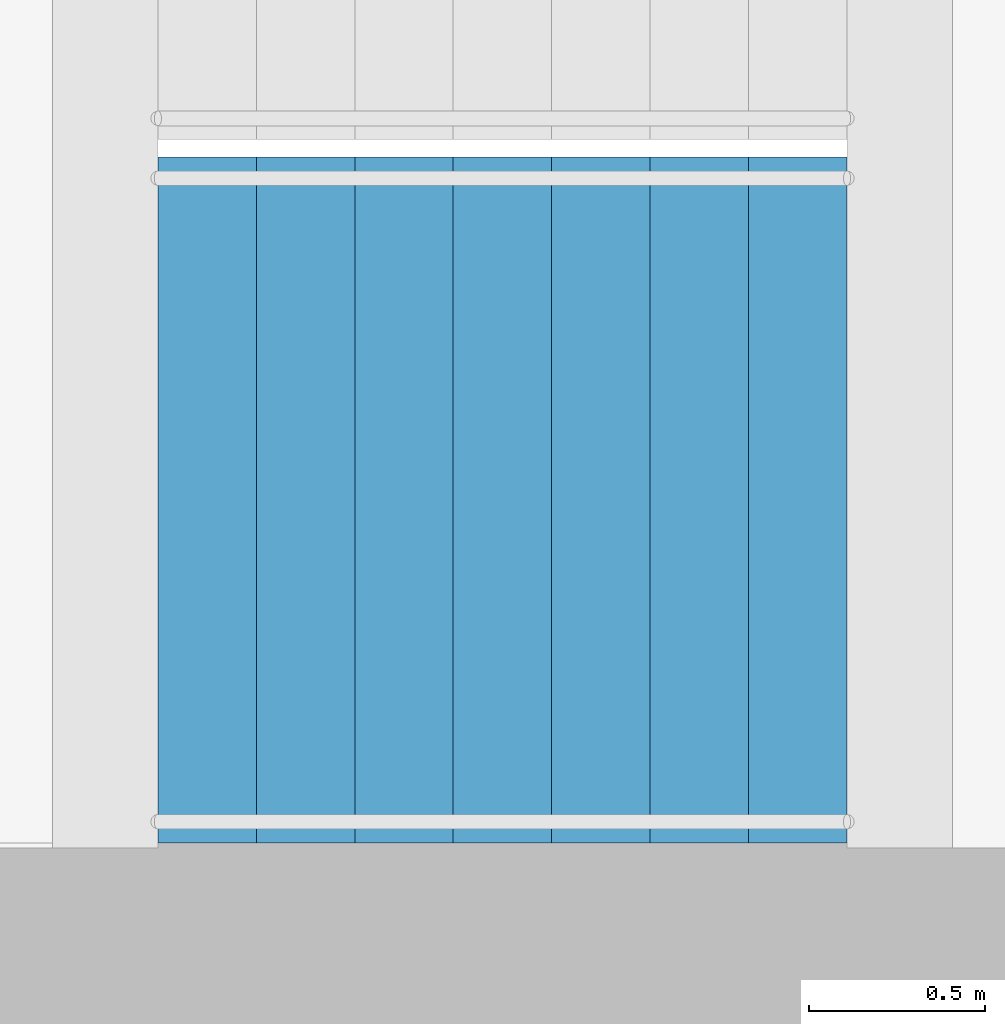
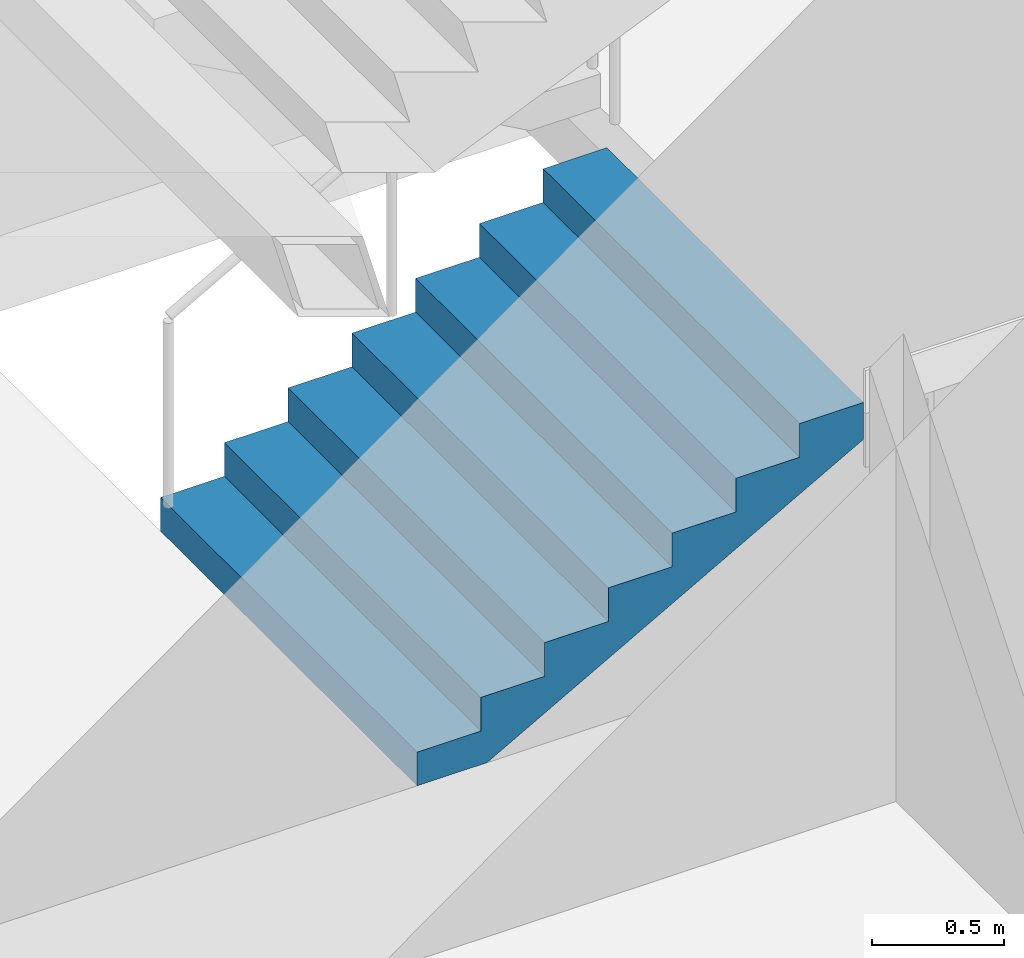
# One storey, part 20 of 37: 1 stair flight, 1 element without a shape of its own.
"""IFC4 building model written with IfcOpenShell, lengths in metres."""

import ifcopenshell
import ifcopenshell.guid

model = None  # the IFC model being written
_history = None  # IfcOwnerHistory: only IFC2X3 demands one
_inside = {}  # id of a spatial element -> (the spatial element, [elements in it])
_under = {}  # id of a project, library or spatial element -> (it, [spatial elements below it])
_declared = {}  # id of a project -> (the project, [libraries it declares])
_typed = {}  # id of a type object -> (the type object, [elements of that type])
_made_of = {}  # id of a material, layer set ... -> (it, [elements and type objects made of it])


def new_model(schema):
    """Start an empty IFC model of exactly this schema.

    Asked for "IFC4X3", IfcOpenShell would pick the latest addendum, in which some entities
    have other attributes; the version numbers below select the first issue.
    IFC2X3 requires an IfcOwnerHistory on every rooted entity: one is made here for all.
    """
    global model, _history
    if schema == "IFC4X3":
        model = ifcopenshell.file(schema_version=(4, 3, 0, 0))
    else:
        model = ifcopenshell.file(schema=schema)
    _inside.clear()
    _under.clear()
    _declared.clear()
    _typed.clear()
    _made_of.clear()
    _history = None
    if model.schema == "IFC2X3":
        org = make("IfcOrganization", Name="unknown")
        user = make(
            "IfcPersonAndOrganization",
            ThePerson=make("IfcPerson", FamilyName="unknown"),
            TheOrganization=org,
        )
        app = make(
            "IfcApplication",
            ApplicationDeveloper=org,
            Version="unknown",
            ApplicationFullName="unknown",
            ApplicationIdentifier="unknown",
        )
        _history = make(
            "IfcOwnerHistory",
            OwningUser=user,
            OwningApplication=app,
            ChangeAction="ADDED",
            CreationDate=0,
        )
    return model


def make(cls, **values):
    """One entity of the class cls with the attributes given. An attribute that is None is left unset."""
    return model.create_entity(
        cls, **{name: value for name, value in values.items() if value is not None}
    )


def rooted(cls, **values):
    """An entity with a GlobalId (a new one), such as an element, a storey or a relation."""
    return make(cls, GlobalId=ifcopenshell.guid.new(), OwnerHistory=_history, **values)


def si_unit(unit_type, name, prefix=None):
    """IfcSIUnit, for example si_unit("LENGTHUNIT", "METRE", prefix="MILLI")."""
    return make("IfcSIUnit", UnitType=unit_type, Prefix=prefix, Name=name)


def assignment(units):
    """IfcUnitAssignment: the units of a project."""
    return None if units is None else make("IfcUnitAssignment", Units=units)


def point(xyz):
    """IfcCartesianPoint."""
    return None if xyz is None else make("IfcCartesianPoint", Coordinates=xyz)


def direction(xyz):
    """IfcDirection."""
    return None if xyz is None else make("IfcDirection", DirectionRatios=xyz)


def frame(location, z_axis=None, x_axis=None):
    """IfcAxis2Placement3D, a coordinate frame: its origin and axes. An axis left out is left unset."""
    return make(
        "IfcAxis2Placement3D",
        Location=point(location),
        Axis=direction(z_axis),
        RefDirection=direction(x_axis),
    )


def origin():
    """The frame at (0, 0, 0) with its axes left unset."""
    return frame((0.0, 0.0, 0.0))


def place(relative_to, where):
    """IfcLocalPlacement: puts the frame where relative to a parent placement (None: the world)."""
    return make(
        "IfcLocalPlacement", PlacementRelTo=relative_to, RelativePlacement=where
    )


def context(
    kind, dimensions, precision=None, world=None, true_north=None, identifier=None
):
    """IfcGeometricRepresentationContext, for example the 3D "Model" context."""
    return make(
        "IfcGeometricRepresentationContext",
        ContextIdentifier=identifier,
        ContextType=kind,
        CoordinateSpaceDimension=dimensions,
        Precision=precision,
        WorldCoordinateSystem=world,
        TrueNorth=true_north,
    )


def subcontext(parent, identifier, kind, view, scale=None):
    """IfcGeometricRepresentationSubContext, for example "Body" below "Model"."""
    return make(
        "IfcGeometricRepresentationSubContext",
        ContextIdentifier=identifier,
        ContextType=kind,
        ParentContext=parent,
        TargetScale=scale,
        TargetView=view,
    )


def project(units=None, contexts=None):
    """IfcProject with its units and contexts."""
    return rooted(
        "IfcProject",
        Name="project",
        RepresentationContexts=contexts,
        UnitsInContext=assignment(units),
    )


def spatial(cls, under=None, at=None, **own):
    """A site, building, storey or space (cls), placed at a placement, below another one or the project."""
    s = rooted(cls, ObjectPlacement=at, **own)
    if under is not None:
        _under.setdefault(under.id(), (under, []))[1].append(s)
    return s


def point_list(points):
    """IfcCartesianPointList2D or 3D."""
    cls = (
        "IfcCartesianPointList2D" if len(points[0]) == 2 else "IfcCartesianPointList3D"
    )
    return make(cls, CoordList=points)


def triangles(points, corners, closed=None, point_numbers=None):
    """IfcTriangulatedFaceSet: each triangle names its three corners, points numbered from 1."""
    return make(
        "IfcTriangulatedFaceSet",
        Coordinates=point_list(points),
        Closed=closed,
        CoordIndex=corners,
        PnIndex=point_numbers,
    )


def shape(context_of_items, identifier, shape_type, items):
    """IfcShapeRepresentation: the items that make up one representation, for example the "Body"."""
    return make(
        "IfcShapeRepresentation",
        ContextOfItems=context_of_items,
        RepresentationIdentifier=identifier,
        RepresentationType=shape_type,
        Items=items,
    )


def material(Name=None, Category=None):
    """IfcMaterial."""
    return make("IfcMaterial", Name=Name, Category=Category)


def made_of(thing, what):
    """Note that an element or type object is made of a material, layer set ...; save() writes the relation."""
    if what is not None:
        _made_of.setdefault(what.id(), (what, []))[1].append(thing)
    return thing


def type_object(cls, material=None, **own):
    """A type object (cls), such as IfcWallType, which elements share."""
    return made_of(rooted(cls, **own), material)


def element(
    cls,
    number,
    at=None,
    inside=None,
    cuts=None,
    type_object=None,
    material=None,
    context=None,
    identifier="Body",
    shape_type=None,
    held_by="IfcProductDefinitionShape",
    body=None,
    shapes=None,
    **own,
):
    """One element of the class cls, such as IfcWall. Its Tag is "e" and its number.

    at: its placement. inside: the storey or other place that contains it. cuts: it is an
    opening in that element (IfcRelVoidsElement). A single representation is given by context,
    identifier, shape_type and body (its items); several are given by shapes. held_by: the class
    of the entity that holds the representations. save() writes the other relations.
    """
    e = rooted(cls, Tag="e%d" % number, ObjectPlacement=at, **own)
    if body is not None:
        shapes = [shape(context, identifier, shape_type, body)]
    if shapes is not None:
        e.Representation = make(held_by, Representations=shapes)
    if inside is not None:
        _inside.setdefault(inside.id(), (inside, []))[1].append(e)
    if cuts is not None:
        rooted(
            "IfcRelVoidsElement", RelatingBuildingElement=cuts, RelatedOpeningElement=e
        )
    if type_object is not None:
        _typed.setdefault(type_object.id(), (type_object, []))[1].append(e)
    return made_of(e, material)


def aggregate(whole, parts):
    """IfcRelAggregates: a whole, such as a stair, and the parts it consists of."""
    return rooted("IfcRelAggregates", RelatingObject=whole, RelatedObjects=parts)


def save(model, path):
    """Write the relations noted so far, then the file.

    IfcRelAggregates (storeys below a building ...), IfcRelContainedInSpatialStructure (elements
    in a storey), IfcRelDefinesByType, IfcRelAssociatesMaterial and IfcRelDeclares: one each for
    every whole, place, type object, material and project.
    """
    for whole, parts in _under.values():
        aggregate(whole, parts)
    for where, things in _inside.values():
        rooted(
            "IfcRelContainedInSpatialStructure",
            RelatedElements=things,
            RelatingStructure=where,
        )
    for kind, things in _typed.values():
        rooted("IfcRelDefinesByType", RelatedObjects=things, RelatingType=kind)
    for what, things in _made_of.values():
        rooted("IfcRelAssociatesMaterial", RelatedObjects=things, RelatingMaterial=what)
    for by, libraries in _declared.values():
        rooted("IfcRelDeclares", RelatingContext=by, RelatedDefinitions=libraries)
    model.write(path)


model = new_model("IFC4")

# Units and contexts
model_context = context("Model", 3, precision=1e-05, world=origin(), true_north=direction((0.0, 1.0)))
body_context = subcontext(model_context, "Body", "Model", "MODEL_VIEW")
ifc_project = project(units=[si_unit("LENGTHUNIT", "METRE"), si_unit("AREAUNIT", "SQUARE_METRE"), si_unit("VOLUMEUNIT", "CUBIC_METRE"), si_unit("PLANEANGLEUNIT", "RADIAN"), si_unit("MASSUNIT", "GRAM", prefix="KILO")], contexts=[model_context])

# Site, building, storey
site_placement = place(None, origin())
site = spatial("IfcSite", under=ifc_project, at=site_placement, CompositionType="ELEMENT")
building_placement = place(site_placement, origin())
building = spatial("IfcBuilding", under=site, at=building_placement, Name="Orbita Commons", CompositionType="ELEMENT")
storey_placement = place(building_placement, frame((0.0, 0.0, 6.0)))
storey = spatial("IfcBuildingStorey", under=building, at=storey_placement, Name="L01", CompositionType="ELEMENT", Elevation=6.0)

# Stair, stair flight
ifc_material_1 = material(Name="Precast concrete C40/50", Category="concrete")
stair_type = type_object("IfcStairType", Name="Exit stair S1 4 flights 8 risers 156", PredefinedType="HALF_TURN_STAIR", material=ifc_material_1)
stair_placement = place(storey_placement, origin())
stair = element("IfcStair", 1, at=stair_placement, inside=storey, type_object=stair_type, Name="Exit stair S1 L01", PredefinedType="HALF_TURN_STAIR")
ifc_material_2 = material(Name="Precast concrete C40/50", Category="concrete")
stair_flight_type = type_object("IfcStairFlightType", Name="Stair flight 8 risers 156 x 280", PredefinedType="STRAIGHT", material=ifc_material_2)
stair_flight_placement = place(storey_placement, frame((20.449951171875, 27.27490234375, 0.0), z_axis=(0.0, 0.0, 1.0), x_axis=(1.0, 0.0, 0.0)))
stair_flight = element("IfcStairFlight", 2, at=stair_flight_placement, type_object=stair_flight_type, Name="S1 flight 1", NumberOfRisers=8, NumberOfTreads=7, PredefinedType="STRAIGHT", RiserHeight=0.15625, TreadLength=0.28, context=body_context, shape_type="Tessellation", body=[
    triangles([(0.0, 0.974976, 0.0), (0.0, 0.974976, 0.019531), (0.0, 0.81248, 0.019531), (0.0, 0.81248, 0.0), (0.0, 0.649984, 0.019531), (0.0, 0.649984, 0.0), (0.0, 0.487488, 0.019531), (0.0, 0.487488, 0.0), (0.0, 0.324992, 0.019531), (0.0, 0.324992, 0.0), (0.0, 0.162496, 0.019531), (0.0, 0.162496, 0.0), (0.0, 0.0, 0.019531), (0.0, 0.0, 0.0), (0.0, -0.162496, 0.019531), (0.0, -0.162496, 0.0), (0.0, -0.324992, 0.019531), (0.0, -0.324992, 0.0), (0.0, -0.487488, 0.019531), (0.0, -0.487488, 0.0), (0.0, -0.649984, 0.019531), (0.0, -0.649984, 0.0), (0.0, -0.81248, 0.019531), (0.0, -0.81248, 0.0), (0.0, -0.974976, 0.019531), (0.0, -0.974976, 0.0), (0.0, 0.974976, 0.039062), (0.0, 0.81248, 0.039062), (0.0, 0.649984, 0.039062), (0.0, 0.487488, 0.039062), (0.0, 0.324992, 0.039062), (0.0, 0.162496, 0.039062), (0.0, 0.0, 0.039062), (0.0, -0.162496, 0.039062), (0.0, -0.324992, 0.039062), (0.0, -0.487488, 0.039062), (0.0, -0.649984, 0.039062), (0.0, -0.81248, 0.039062), (0.0, -0.974976, 0.039062), (0.0, 0.974976, 0.058594), (0.0, 0.81248, 0.058594), (0.0, 0.649984, 0.058594), (0.0, 0.487488, 0.058594), (0.0, 0.324992, 0.058594), (0.0, 0.162496, 0.058594), (0.0, 0.0, 0.058594), (0.0, -0.162496, 0.058594), (0.0, -0.324992, 0.058594), (0.0, -0.487488, 0.058594), (0.0, -0.649984, 0.058594), (0.0, -0.81248, 0.058594), (0.0, -0.974976, 0.058594), (0.0, 0.974976, 0.078125), (0.0, 0.81248, 0.078125), (0.0, 0.649984, 0.078125), (0.0, 0.487488, 0.078125), (0.0, 0.324992, 0.078125), (0.0, 0.162496, 0.078125), (0.0, 0.0, 0.078125), (0.0, -0.162496, 0.078125), (0.0, -0.324992, 0.078125), (0.0, -0.487488, 0.078125), (0.0, -0.649984, 0.078125), (0.0, -0.81248, 0.078125), (0.0, -0.974976, 0.078125), (0.0, 0.974976, 0.097656), (0.0, 0.81248, 0.097656), (0.0, 0.649984, 0.097656), (0.0, 0.487488, 0.097656), (0.0, 0.324992, 0.097656), (0.0, 0.162496, 0.097656), (0.0, 0.0, 0.097656), (0.0, -0.162496, 0.097656), (0.0, -0.324992, 0.097656), (0.0, -0.487488, 0.097656), (0.0, -0.649984, 0.097656), (0.0, -0.81248, 0.097656), (0.0, -0.974976, 0.097656), (0.0, 0.974976, 0.117188), (0.0, 0.81248, 0.117188), (0.0, 0.649984, 0.117188), (0.0, 0.487488, 0.117188), (0.0, 0.324992, 0.117188), (0.0, 0.162496, 0.117188), (0.0, 0.0, 0.117188), (0.0, -0.162496, 0.117188), (0.0, -0.324992, 0.117188), (0.0, -0.487488, 0.117188), (0.0, -0.649984, 0.117188), (0.0, -0.81248, 0.117188), (0.0, -0.974976, 0.117188), (0.0, 0.974976, 0.136719), (0.0, 0.81248, 0.136719), (0.0, 0.649984, 0.136719), (0.0, 0.487488, 0.136719), (0.0, 0.324992, 0.136719), (0.0, 0.162496, 0.136719), (0.0, 0.0, 0.136719), (0.0, -0.162496, 0.136719), (0.0, -0.324992, 0.136719), (0.0, -0.487488, 0.136719), (0.0, -0.649984, 0.136719), (0.0, -0.81248, 0.136719), (0.0, -0.974976, 0.136719), (0.0, 0.974976, 0.15625), (0.0, 0.81248, 0.15625), (0.0, 0.649984, 0.15625), (0.0, 0.487488, 0.15625), (0.0, 0.324992, 0.15625), (0.0, 0.162496, 0.15625), (0.0, 0.0, 0.15625), (0.0, -0.162496, 0.15625), (0.0, -0.324992, 0.15625), (0.0, -0.487488, 0.15625), (0.0, -0.649984, 0.15625), (0.0, -0.81248, 0.15625), (0.0, -0.974976, 0.15625), (0.28, 0.974976, 0.15625), (0.28, 0.81248, 0.15625), (0.28, 0.649984, 0.15625), (0.28, 0.487488, 0.15625), (0.28, 0.324992, 0.15625), (0.28, 0.162496, 0.15625), (0.28, 0.0, 0.15625), (0.28, -0.162496, 0.15625), (0.28, -0.324992, 0.15625), (0.28, -0.487488, 0.15625), (0.28, -0.649984, 0.15625), (0.28, -0.81248, 0.15625), (0.28, -0.974976, 0.15625), (0.28, 0.974976, 0.3125), (0.28, 0.81248, 0.3125), (0.28, 0.649984, 0.3125), (0.28, 0.487488, 0.3125), (0.28, 0.324992, 0.3125), (0.28, 0.162496, 0.3125), (0.28, 0.0, 0.3125), (0.28, -0.162496, 0.3125), (0.28, -0.324992, 0.3125), (0.28, -0.487488, 0.3125), (0.28, -0.649984, 0.3125), (0.28, -0.81248, 0.3125), (0.28, -0.974976, 0.3125), (0.56, 0.974976, 0.3125), (0.56, 0.81248, 0.3125), (0.56, 0.649984, 0.3125), (0.56, 0.487488, 0.3125), (0.56, 0.324992, 0.3125), (0.56, 0.162496, 0.3125), (0.56, 0.0, 0.3125), (0.56, -0.162496, 0.3125), (0.56, -0.324992, 0.3125), (0.56, -0.487488, 0.3125), (0.56, -0.649984, 0.3125), (0.56, -0.81248, 0.3125), (0.56, -0.974976, 0.3125), (0.56, 0.974976, 0.46875), (0.56, 0.81248, 0.46875), (0.56, 0.649984, 0.46875), (0.56, 0.487488, 0.46875), (0.56, 0.324992, 0.46875), (0.56, 0.162496, 0.46875), (0.56, 0.0, 0.46875), (0.56, -0.162496, 0.46875), (0.56, -0.324992, 0.46875), (0.56, -0.487488, 0.46875), (0.56, -0.649984, 0.46875), (0.56, -0.81248, 0.46875), (0.56, -0.974976, 0.46875), (0.84, 0.974976, 0.46875), (0.84, 0.81248, 0.46875), (0.84, 0.649984, 0.46875), (0.84, 0.487488, 0.46875), (0.84, 0.324992, 0.46875), (0.84, 0.162496, 0.46875), (0.84, 0.0, 0.46875), (0.84, -0.162496, 0.46875), (0.84, -0.324992, 0.46875), (0.84, -0.487488, 0.46875), (0.84, -0.649984, 0.46875), (0.84, -0.81248, 0.46875), (0.84, -0.974976, 0.46875), (0.84, 0.974976, 0.625), (0.84, 0.81248, 0.625), (0.84, 0.649984, 0.625), (0.84, 0.487488, 0.625), (0.84, 0.324992, 0.625), (0.84, 0.162496, 0.625), (0.84, 0.0, 0.625), (0.84, -0.162496, 0.625), (0.84, -0.324992, 0.625), (0.84, -0.487488, 0.625), (0.84, -0.649984, 0.625), (0.84, -0.81248, 0.625), (0.84, -0.974976, 0.625), (1.12, 0.974976, 0.625), (1.12, 0.81248, 0.625), (1.12, 0.649984, 0.625), (1.12, 0.487488, 0.625), (1.12, 0.324992, 0.625), (1.12, 0.162496, 0.625), (1.12, 0.0, 0.625), (1.12, -0.162496, 0.625), (1.12, -0.324992, 0.625), (1.12, -0.487488, 0.625), (1.12, -0.649984, 0.625), (1.12, -0.81248, 0.625), (1.12, -0.974976, 0.625), (1.12, 0.974976, 0.78125), (1.12, 0.81248, 0.78125), (1.12, 0.649984, 0.78125), (1.12, 0.487488, 0.78125), (1.12, 0.324992, 0.78125), (1.12, 0.162496, 0.78125), (1.12, 0.0, 0.78125), (1.12, -0.162496, 0.78125), (1.12, -0.324992, 0.78125), (1.12, -0.487488, 0.78125), (1.12, -0.649984, 0.78125), (1.12, -0.81248, 0.78125), (1.12, -0.974976, 0.78125), (1.4, 0.974976, 0.78125), (1.4, 0.81248, 0.78125), (1.4, 0.649984, 0.78125), (1.4, 0.487488, 0.78125), (1.4, 0.324992, 0.78125), (1.4, 0.162496, 0.78125), (1.4, 0.0, 0.78125), (1.4, -0.162496, 0.78125), (1.4, -0.324992, 0.78125), (1.4, -0.487488, 0.78125), (1.4, -0.649984, 0.78125), (1.4, -0.81248, 0.78125), (1.4, -0.974976, 0.78125), (1.4, 0.974976, 0.9375), (1.4, 0.81248, 0.9375), (1.4, 0.649984, 0.9375), (1.4, 0.487488, 0.9375), (1.4, 0.324992, 0.9375), (1.4, 0.162496, 0.9375), (1.4, 0.0, 0.9375), (1.4, -0.162496, 0.9375), (1.4, -0.324992, 0.9375), (1.4, -0.487488, 0.9375), (1.4, -0.649984, 0.9375), (1.4, -0.81248, 0.9375), (1.4, -0.974976, 0.9375), (1.68, 0.974976, 0.9375), (1.68, 0.81248, 0.9375), (1.68, 0.649984, 0.9375), (1.68, 0.487488, 0.9375), (1.68, 0.324992, 0.9375), (1.68, 0.162496, 0.9375), (1.68, 0.0, 0.9375), (1.68, -0.162496, 0.9375), (1.68, -0.324992, 0.9375), (1.68, -0.487488, 0.9375), (1.68, -0.649984, 0.9375), (1.68, -0.81248, 0.9375), (1.68, -0.974976, 0.9375), (1.68, 0.974976, 1.09375), (1.68, 0.81248, 1.09375), (1.68, 0.649984, 1.09375), (1.68, 0.487488, 1.09375), (1.68, 0.324992, 1.09375), (1.68, 0.162496, 1.09375), (1.68, 0.0, 1.09375), (1.68, -0.162496, 1.09375), (1.68, -0.324992, 1.09375), (1.68, -0.487488, 1.09375), (1.68, -0.649984, 1.09375), (1.68, -0.81248, 1.09375), (1.68, -0.974976, 1.09375), (1.96, 0.974976, 1.09375), (1.96, 0.81248, 1.09375), (1.96, 0.649984, 1.09375), (1.96, 0.487488, 1.09375), (1.96, 0.324992, 1.09375), (1.96, 0.162496, 1.09375), (1.96, 0.0, 1.09375), (1.96, -0.162496, 1.09375), (1.96, -0.324992, 1.09375), (1.96, -0.487488, 1.09375), (1.96, -0.649984, 1.09375), (1.96, -0.81248, 1.09375), (1.96, -0.974976, 1.09375), (1.96, 0.974976, 1.072292), (1.96, 0.81248, 1.072292), (1.96, 0.649984, 1.072292), (1.96, 0.487488, 1.072292), (1.96, 0.324992, 1.072292), (1.96, 0.162496, 1.072292), (1.96, 0.0, 1.072292), (1.96, -0.162496, 1.072292), (1.96, -0.324992, 1.072292), (1.96, -0.487488, 1.072292), (1.96, -0.649984, 1.072292), (1.96, -0.81248, 1.072292), (1.96, -0.974976, 1.072292), (1.96, 0.974976, 1.050834), (1.96, 0.81248, 1.050834), (1.96, 0.649984, 1.050834), (1.96, 0.487488, 1.050834), (1.96, 0.324992, 1.050834), (1.96, 0.162496, 1.050834), (1.96, 0.0, 1.050834), (1.96, -0.162496, 1.050834), (1.96, -0.324992, 1.050834), (1.96, -0.487488, 1.050834), (1.96, -0.649984, 1.050834), (1.96, -0.81248, 1.050834), (1.96, -0.974976, 1.050834), (1.96, 0.974976, 1.029376), (1.96, 0.81248, 1.029376), (1.96, 0.649984, 1.029376), (1.96, 0.487488, 1.029376), (1.96, 0.324992, 1.029376), (1.96, 0.162496, 1.029376), (1.96, 0.0, 1.029376), (1.96, -0.162496, 1.029376), (1.96, -0.324992, 1.029376), (1.96, -0.487488, 1.029376), (1.96, -0.649984, 1.029376), (1.96, -0.81248, 1.029376), (1.96, -0.974976, 1.029376), (1.96, 0.974976, 1.007919), (1.96, 0.81248, 1.007919), (1.96, 0.649984, 1.007919), (1.96, 0.487488, 1.007919), (1.96, 0.324992, 1.007919), (1.96, 0.162496, 1.007919), (1.96, 0.0, 1.007919), (1.96, -0.162496, 1.007919), (1.96, -0.324992, 1.007919), (1.96, -0.487488, 1.007919), (1.96, -0.649984, 1.007919), (1.96, -0.81248, 1.007919), (1.96, -0.974976, 1.007919), (1.96, 0.974976, 0.986461), (1.96, 0.81248, 0.986461), (1.96, 0.649984, 0.986461), (1.96, 0.487488, 0.986461), (1.96, 0.324992, 0.986461), (1.96, 0.162496, 0.986461), (1.96, 0.0, 0.986461), (1.96, -0.162496, 0.986461), (1.96, -0.324992, 0.986461), (1.96, -0.487488, 0.986461), (1.96, -0.649984, 0.986461), (1.96, -0.81248, 0.986461), (1.96, -0.974976, 0.986461), (1.96, 0.974976, 0.965003), (1.96, 0.81248, 0.965003), (1.96, 0.649984, 0.965003), (1.96, 0.487488, 0.965003), (1.96, 0.324992, 0.965003), (1.96, 0.162496, 0.965003), (1.96, 0.0, 0.965003), (1.96, -0.162496, 0.965003), (1.96, -0.324992, 0.965003), (1.96, -0.487488, 0.965003), (1.96, -0.649984, 0.965003), (1.96, -0.81248, 0.965003), (1.96, -0.974976, 0.965003), (1.96, 0.974976, 0.943545), (1.96, 0.81248, 0.943545), (1.96, 0.649984, 0.943545), (1.96, 0.487488, 0.943545), (1.96, 0.324992, 0.943545), (1.96, 0.162496, 0.943545), (1.96, 0.0, 0.943545), (1.96, -0.162496, 0.943545), (1.96, -0.324992, 0.943545), (1.96, -0.487488, 0.943545), (1.96, -0.649984, 0.943545), (1.96, -0.81248, 0.943545), (1.96, -0.974976, 0.943545), (1.96, 0.974976, 0.922087), (1.96, 0.81248, 0.922087), (1.96, 0.649984, 0.922087), (1.96, 0.487488, 0.922087), (1.96, 0.324992, 0.922087), (1.96, 0.162496, 0.922087), (1.96, 0.0, 0.922087), (1.96, -0.162496, 0.922087), (1.96, -0.324992, 0.922087), (1.96, -0.487488, 0.922087), (1.96, -0.649984, 0.922087), (1.96, -0.81248, 0.922087), (1.96, -0.974976, 0.922087), (0.30762, 0.974976, 0.0), (0.30762, 0.81248, 0.0), (0.30762, 0.649984, 0.0), (0.30762, 0.487488, 0.0), (0.30762, 0.324992, 0.0), (0.30762, 0.162496, 0.0), (0.30762, 0.0, 0.0), (0.30762, -0.162496, 0.0), (0.30762, -0.324992, 0.0), (0.30762, -0.487488, 0.0), (0.30762, -0.649984, 0.0), (0.30762, -0.81248, 0.0), (0.30762, -0.974976, 0.0)], [[3, 2, 1], [4, 3, 1], [5, 3, 4], [6, 5, 4], [7, 5, 6], [8, 7, 6], [9, 7, 8], [10, 9, 8], [11, 9, 10], [12, 11, 10], [13, 11, 12], [14, 13, 12], [15, 13, 14], [16, 15, 14], [17, 15, 16], [18, 17, 16], [19, 17, 18], [20, 19, 18], [21, 19, 20], [22, 21, 20], [23, 21, 22], [24, 23, 22], [25, 23, 24], [26, 25, 24], [28, 27, 2], [3, 28, 2], [29, 28, 3], [5, 29, 3], [30, 29, 5], [7, 30, 5], [31, 30, 7], [9, 31, 7], [32, 31, 9], [11, 32, 9], [33, 32, 11], [13, 33, 11], [34, 33, 13], [15, 34, 13], [35, 34, 15], [17, 35, 15], [36, 35, 17], [19, 36, 17], [37, 36, 19], [21, 37, 19], [38, 37, 21], [23, 38, 21], [39, 38, 23], [25, 39, 23], [41, 40, 27], [28, 41, 27], [42, 41, 28], [29, 42, 28], [43, 42, 29], [30, 43, 29], [44, 43, 30], [31, 44, 30], [45, 44, 31], [32, 45, 31], [46, 45, 32], [33, 46, 32], [47, 46, 33], [34, 47, 33], [48, 47, 34], [35, 48, 34], [49, 48, 35], [36, 49, 35], [50, 49, 36], [37, 50, 36], [51, 50, 37], [38, 51, 37], [52, 51, 38], [39, 52, 38], [54, 53, 40], [41, 54, 40], [55, 54, 41], [42, 55, 41], [56, 55, 42], [43, 56, 42], [57, 56, 43], [44, 57, 43], [58, 57, 44], [45, 58, 44], [59, 58, 45], [46, 59, 45], [60, 59, 46], [47, 60, 46], [61, 60, 47], [48, 61, 47], [62, 61, 48], [49, 62, 48], [63, 62, 49], [50, 63, 49], [64, 63, 50], [51, 64, 50], [65, 64, 51], [52, 65, 51], [67, 66, 53], [54, 67, 53], [68, 67, 54], [55, 68, 54], [69, 68, 55], [56, 69, 55], [70, 69, 56], [57, 70, 56], [71, 70, 57], [58, 71, 57], [72, 71, 58], [59, 72, 58], [73, 72, 59], [60, 73, 59], [74, 73, 60], [61, 74, 60], [75, 74, 61], [62, 75, 61], [76, 75, 62], [63, 76, 62], [77, 76, 63], [64, 77, 63], [78, 77, 64], [65, 78, 64], [80, 79, 66], [67, 80, 66], [81, 80, 67], [68, 81, 67], [82, 81, 68], [69, 82, 68], [83, 82, 69], [70, 83, 69], [84, 83, 70], [71, 84, 70], [85, 84, 71], [72, 85, 71], [86, 85, 72], [73, 86, 72], [87, 86, 73], [74, 87, 73], [88, 87, 74], [75, 88, 74], [89, 88, 75], [76, 89, 75], [90, 89, 76], [77, 90, 76], [91, 90, 77], [78, 91, 77], [93, 92, 79], [80, 93, 79], [94, 93, 80], [81, 94, 80], [95, 94, 81], [82, 95, 81], [96, 95, 82], [83, 96, 82], [97, 96, 83], [84, 97, 83], [98, 97, 84], [85, 98, 84], [99, 98, 85], [86, 99, 85], [100, 99, 86], [87, 100, 86], [101, 100, 87], [88, 101, 87], [102, 101, 88], [89, 102, 88], [103, 102, 89], [90, 103, 89], [104, 103, 90], [91, 104, 90], [106, 105, 92], [93, 106, 92], [107, 106, 93], [94, 107, 93], [108, 107, 94], [95, 108, 94], [109, 108, 95], [96, 109, 95], [110, 109, 96], [97, 110, 96], [111, 110, 97], [98, 111, 97], [112, 111, 98], [99, 112, 98], [113, 112, 99], [100, 113, 99], [114, 113, 100], [101, 114, 100], [115, 114, 101], [102, 115, 101], [116, 115, 102], [103, 116, 102], [117, 116, 103], [104, 117, 103], [119, 118, 105], [106, 119, 105], [120, 119, 106], [107, 120, 106], [121, 120, 107], [108, 121, 107], [122, 121, 108], [109, 122, 108], [123, 122, 109], [110, 123, 109], [124, 123, 110], [111, 124, 110], [125, 124, 111], [112, 125, 111], [126, 125, 112], [113, 126, 112], [127, 126, 113], [114, 127, 113], [128, 127, 114], [115, 128, 114], [129, 128, 115], [116, 129, 115], [130, 129, 116], [117, 130, 116], [132, 131, 118], [119, 132, 118], [133, 132, 119], [120, 133, 119], [134, 133, 120], [121, 134, 120], [135, 134, 121], [122, 135, 121], [136, 135, 122], [123, 136, 122], [137, 136, 123], [124, 137, 123], [138, 137, 124], [125, 138, 124], [139, 138, 125], [126, 139, 125], [140, 139, 126], [127, 140, 126], [141, 140, 127], [128, 141, 127], [142, 141, 128], [129, 142, 128], [143, 142, 129], [130, 143, 129], [145, 144, 131], [132, 145, 131], [146, 145, 132], [133, 146, 132], [147, 146, 133], [134, 147, 133], [148, 147, 134], [135, 148, 134], [149, 148, 135], [136, 149, 135], [150, 149, 136], [137, 150, 136], [151, 150, 137], [138, 151, 137], [152, 151, 138], [139, 152, 138], [153, 152, 139], [140, 153, 139], [154, 153, 140], [141, 154, 140], [155, 154, 141], [142, 155, 141], [156, 155, 142], [143, 156, 142], [158, 157, 144], [145, 158, 144], [159, 158, 145], [146, 159, 145], [160, 159, 146], [147, 160, 146], [161, 160, 147], [148, 161, 147], [162, 161, 148], [149, 162, 148], [163, 162, 149], [150, 163, 149], [164, 163, 150], [151, 164, 150], [165, 164, 151], [152, 165, 151], [166, 165, 152], [153, 166, 152], [167, 166, 153], [154, 167, 153], [168, 167, 154], [155, 168, 154], [169, 168, 155], [156, 169, 155], [171, 170, 157], [158, 171, 157], [172, 171, 158], [159, 172, 158], [173, 172, 159], [160, 173, 159], [174, 173, 160], [161, 174, 160], [175, 174, 161], [162, 175, 161], [176, 175, 162], [163, 176, 162], [177, 176, 163], [164, 177, 163], [178, 177, 164], [165, 178, 164], [179, 178, 165], [166, 179, 165], [180, 179, 166], [167, 180, 166], [181, 180, 167], [168, 181, 167], [182, 181, 168], [169, 182, 168], [184, 183, 170], [171, 184, 170], [185, 184, 171], [172, 185, 171], [186, 185, 172], [173, 186, 172], [187, 186, 173], [174, 187, 173], [188, 187, 174], [175, 188, 174], [189, 188, 175], [176, 189, 175], [190, 189, 176], [177, 190, 176], [191, 190, 177], [178, 191, 177], [192, 191, 178], [179, 192, 178], [193, 192, 179], [180, 193, 179], [194, 193, 180], [181, 194, 180], [195, 194, 181], [182, 195, 181], [197, 196, 183], [184, 197, 183], [198, 197, 184], [185, 198, 184], [199, 198, 185], [186, 199, 185], [200, 199, 186], [187, 200, 186], [201, 200, 187], [188, 201, 187], [202, 201, 188], [189, 202, 188], [203, 202, 189], [190, 203, 189], [204, 203, 190], [191, 204, 190], [205, 204, 191], [192, 205, 191], [206, 205, 192], [193, 206, 192], [207, 206, 193], [194, 207, 193], [208, 207, 194], [195, 208, 194], [210, 209, 196], [197, 210, 196], [211, 210, 197], [198, 211, 197], [212, 211, 198], [199, 212, 198], [213, 212, 199], [200, 213, 199], [214, 213, 200], [201, 214, 200], [215, 214, 201], [202, 215, 201], [216, 215, 202], [203, 216, 202], [217, 216, 203], [204, 217, 203], [218, 217, 204], [205, 218, 204], [219, 218, 205], [206, 219, 205], [220, 219, 206], [207, 220, 206], [221, 220, 207], [208, 221, 207], [223, 222, 209], [210, 223, 209], [224, 223, 210], [211, 224, 210], [225, 224, 211], [212, 225, 211], [226, 225, 212], [213, 226, 212], [227, 226, 213], [214, 227, 213], [228, 227, 214], [215, 228, 214], [229, 228, 215], [216, 229, 215], [230, 229, 216], [217, 230, 216], [231, 230, 217], [218, 231, 217], [232, 231, 218], [219, 232, 218], [233, 232, 219], [220, 233, 219], [234, 233, 220], [221, 234, 220], [236, 235, 222], [223, 236, 222], [237, 236, 223], [224, 237, 223], [238, 237, 224], [225, 238, 224], [239, 238, 225], [226, 239, 225], [240, 239, 226], [227, 240, 226], [241, 240, 227], [228, 241, 227], [242, 241, 228], [229, 242, 228], [243, 242, 229], [230, 243, 229], [244, 243, 230], [231, 244, 230], [245, 244, 231], [232, 245, 231], [246, 245, 232], [233, 246, 232], [247, 246, 233], [234, 247, 233], [249, 248, 235], [236, 249, 235], [250, 249, 236], [237, 250, 236], [251, 250, 237], [238, 251, 237], [252, 251, 238], [239, 252, 238], [253, 252, 239], [240, 253, 239], [254, 253, 240], [241, 254, 240], [255, 254, 241], [242, 255, 241], [256, 255, 242], [243, 256, 242], [257, 256, 243], [244, 257, 243], [258, 257, 244], [245, 258, 244], [259, 258, 245], [246, 259, 245], [260, 259, 246], [247, 260, 246], [262, 261, 248], [249, 262, 248], [263, 262, 249], [250, 263, 249], [264, 263, 250], [251, 264, 250], [265, 264, 251], [252, 265, 251], [266, 265, 252], [253, 266, 252], [267, 266, 253], [254, 267, 253], [268, 267, 254], [255, 268, 254], [269, 268, 255], [256, 269, 255], [270, 269, 256], [257, 270, 256], [271, 270, 257], [258, 271, 257], [272, 271, 258], [259, 272, 258], [273, 272, 259], [260, 273, 259], [275, 274, 261], [262, 275, 261], [276, 275, 262], [263, 276, 262], [277, 276, 263], [264, 277, 263], [278, 277, 264], [265, 278, 264], [279, 278, 265], [266, 279, 265], [280, 279, 266], [267, 280, 266], [281, 280, 267], [268, 281, 267], [282, 281, 268], [269, 282, 268], [283, 282, 269], [270, 283, 269], [284, 283, 270], [271, 284, 270], [285, 284, 271], [272, 285, 271], [286, 285, 272], [273, 286, 272], [288, 287, 274], [275, 288, 274], [289, 288, 275], [276, 289, 275], [290, 289, 276], [277, 290, 276], [291, 290, 277], [278, 291, 277], [292, 291, 278], [279, 292, 278], [293, 292, 279], [280, 293, 279], [294, 293, 280], [281, 294, 280], [295, 294, 281], [282, 295, 281], [296, 295, 282], [283, 296, 282], [297, 296, 283], [284, 297, 283], [298, 297, 284], [285, 298, 284], [299, 298, 285], [286, 299, 285], [301, 300, 287], [288, 301, 287], [302, 301, 288], [289, 302, 288], [303, 302, 289], [290, 303, 289], [304, 303, 290], [291, 304, 290], [305, 304, 291], [292, 305, 291], [306, 305, 292], [293, 306, 292], [307, 306, 293], [294, 307, 293], [308, 307, 294], [295, 308, 294], [309, 308, 295], [296, 309, 295], [310, 309, 296], [297, 310, 296], [311, 310, 297], [298, 311, 297], [312, 311, 298], [299, 312, 298], [314, 313, 300], [301, 314, 300], [315, 314, 301], [302, 315, 301], [316, 315, 302], [303, 316, 302], [317, 316, 303], [304, 317, 303], [318, 317, 304], [305, 318, 304], [319, 318, 305], [306, 319, 305], [320, 319, 306], [307, 320, 306], [321, 320, 307], [308, 321, 307], [322, 321, 308], [309, 322, 308], [323, 322, 309], [310, 323, 309], [324, 323, 310], [311, 324, 310], [325, 324, 311], [312, 325, 311], [327, 326, 313], [314, 327, 313], [328, 327, 314], [315, 328, 314], [329, 328, 315], [316, 329, 315], [330, 329, 316], [317, 330, 316], [331, 330, 317], [318, 331, 317], [332, 331, 318], [319, 332, 318], [333, 332, 319], [320, 333, 319], [334, 333, 320], [321, 334, 320], [335, 334, 321], [322, 335, 321], [336, 335, 322], [323, 336, 322], [337, 336, 323], [324, 337, 323], [338, 337, 324], [325, 338, 324], [340, 339, 326], [327, 340, 326], [341, 340, 327], [328, 341, 327], [342, 341, 328], [329, 342, 328], [343, 342, 329], [330, 343, 329], [344, 343, 330], [331, 344, 330], [345, 344, 331], [332, 345, 331], [346, 345, 332], [333, 346, 332], [347, 346, 333], [334, 347, 333], [348, 347, 334], [335, 348, 334], [349, 348, 335], [336, 349, 335], [350, 349, 336], [337, 350, 336], [351, 350, 337], [338, 351, 337], [353, 352, 339], [340, 353, 339], [354, 353, 340], [341, 354, 340], [355, 354, 341], [342, 355, 341], [356, 355, 342], [343, 356, 342], [357, 356, 343], [344, 357, 343], [358, 357, 344], [345, 358, 344], [359, 358, 345], [346, 359, 345], [360, 359, 346], [347, 360, 346], [361, 360, 347], [348, 361, 347], [362, 361, 348], [349, 362, 348], [363, 362, 349], [350, 363, 349], [364, 363, 350], [351, 364, 350], [366, 365, 352], [353, 366, 352], [367, 366, 353], [354, 367, 353], [368, 367, 354], [355, 368, 354], [369, 368, 355], [356, 369, 355], [370, 369, 356], [357, 370, 356], [371, 370, 357], [358, 371, 357], [372, 371, 358], [359, 372, 358], [373, 372, 359], [360, 373, 359], [374, 373, 360], [361, 374, 360], [375, 374, 361], [362, 375, 361], [376, 375, 362], [363, 376, 362], [377, 376, 363], [364, 377, 363], [379, 378, 365], [366, 379, 365], [380, 379, 366], [367, 380, 366], [381, 380, 367], [368, 381, 367], [382, 381, 368], [369, 382, 368], [383, 382, 369], [370, 383, 369], [384, 383, 370], [371, 384, 370], [385, 384, 371], [372, 385, 371], [386, 385, 372], [373, 386, 372], [387, 386, 373], [374, 387, 373], [388, 387, 374], [375, 388, 374], [389, 388, 375], [376, 389, 375], [390, 389, 376], [377, 390, 376], [392, 391, 378], [379, 392, 378], [393, 392, 379], [380, 393, 379], [394, 393, 380], [381, 394, 380], [395, 394, 381], [382, 395, 381], [396, 395, 382], [383, 396, 382], [397, 396, 383], [384, 397, 383], [398, 397, 384], [385, 398, 384], [399, 398, 385], [386, 399, 385], [400, 399, 386], [387, 400, 386], [401, 400, 387], [388, 401, 387], [402, 401, 388], [389, 402, 388], [403, 402, 389], [390, 403, 389], [4, 1, 391], [392, 4, 391], [6, 4, 392], [393, 6, 392], [8, 6, 393], [394, 8, 393], [10, 8, 394], [395, 10, 394], [12, 10, 395], [396, 12, 395], [14, 12, 396], [397, 14, 396], [16, 14, 397], [398, 16, 397], [18, 16, 398], [399, 18, 398], [20, 18, 399], [400, 20, 399], [22, 20, 400], [401, 22, 400], [24, 22, 401], [402, 24, 401], [26, 24, 402], [403, 26, 402], [378, 391, 1], [26, 403, 390], [365, 378, 1], [26, 390, 377], [352, 365, 1], [26, 377, 364], [339, 352, 1], [26, 364, 351], [326, 339, 1], [26, 351, 338], [313, 326, 1], [26, 338, 325], [300, 313, 1], [26, 325, 312], [287, 300, 1], [26, 312, 299], [261, 274, 287], [299, 286, 273], [248, 261, 287], [299, 273, 260], [222, 235, 248], [260, 247, 234], [222, 248, 287], [299, 260, 234], [196, 209, 222], [234, 221, 208], [196, 222, 287], [299, 234, 208], [170, 183, 196], [208, 195, 182], [170, 196, 287], [299, 208, 182], [144, 157, 170], [182, 169, 156], [144, 170, 287], [299, 182, 156], [118, 131, 144], [156, 143, 130], [118, 144, 287], [299, 156, 130], [118, 287, 1], [26, 299, 130], [92, 105, 118], [130, 117, 104], [79, 92, 118], [130, 104, 91], [66, 79, 118], [130, 91, 78], [53, 66, 118], [130, 78, 65], [40, 53, 118], [130, 65, 52], [27, 40, 118], [130, 52, 39], [2, 27, 118], [130, 39, 25], [1, 2, 118], [130, 25, 26]], closed=True),
])
aggregate(stair, [stair_flight])

save(model, "model.ifc")
